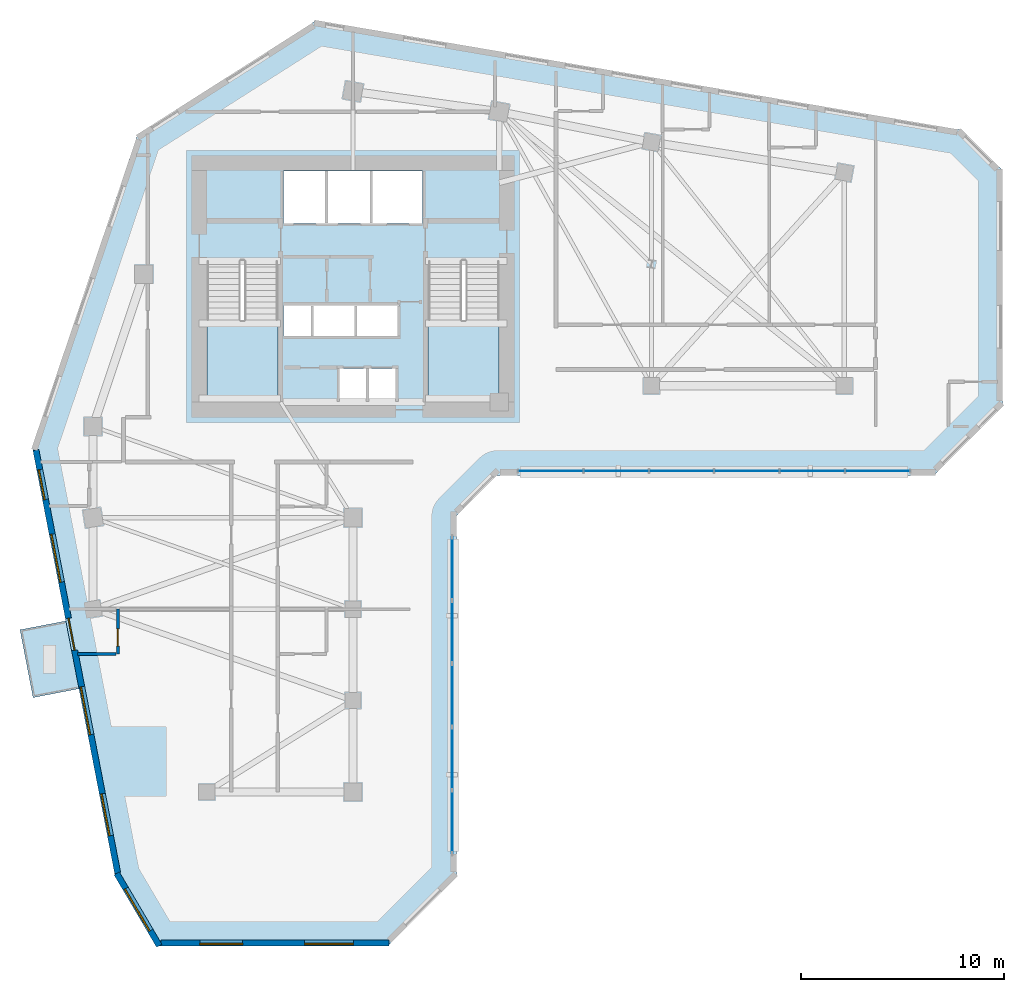
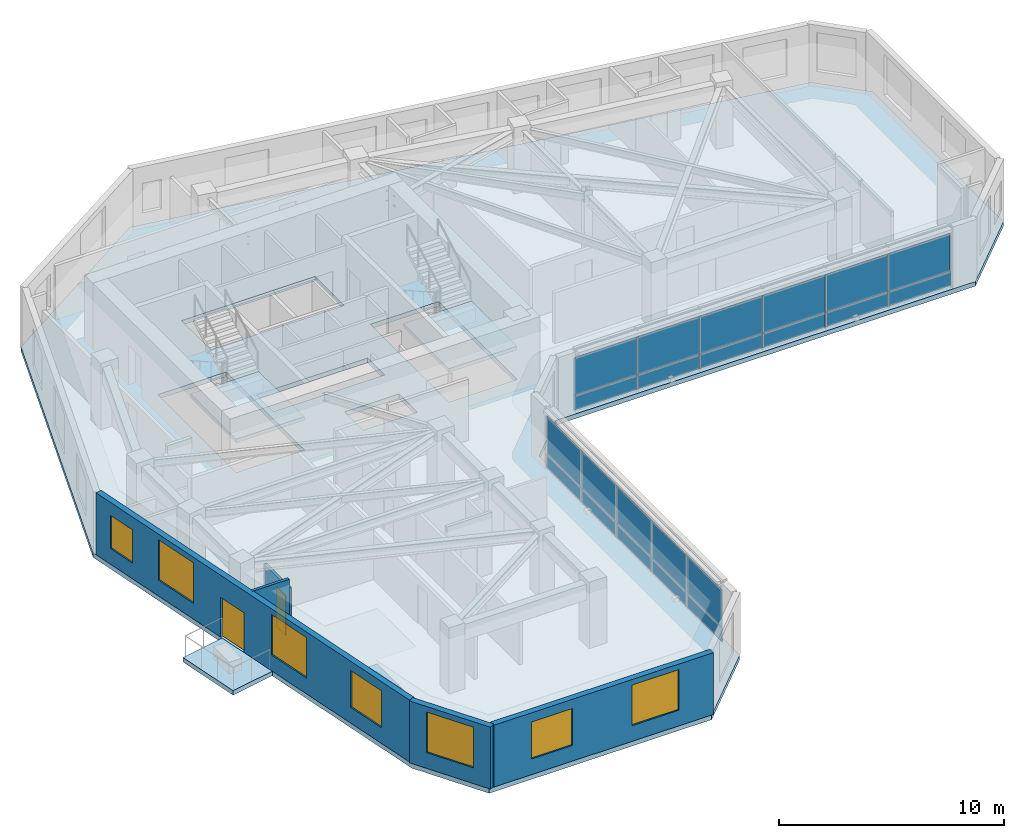
# One storey, part 4 of 11: 22 plates, 7 windows, 5 walls, 4 slabs, 2 doors, 9 openings, 4 elements without a shape of their own.
"""IFC4 building model written with IfcOpenShell, lengths in metres."""

from ifc_helpers import new_model, si_unit, direction, frame, frame_2d, origin, place, context, subcontext, project, spatial, polyline, rectangle, outline, extrude, source, transform, mapped, material, layer, layer_set, type_object, element, fill, aggregate, save


model = new_model("IFC4")

# Units and contexts
model_context = context("Model", 3, precision=1e-05, world=origin(), true_north=direction((0.0, 1.0)))
body_context = subcontext(model_context, "Body", "Model", "MODEL_VIEW")
ifc_project = project(units=[si_unit("LENGTHUNIT", "METRE"), si_unit("AREAUNIT", "SQUARE_METRE"), si_unit("VOLUMEUNIT", "CUBIC_METRE"), si_unit("PLANEANGLEUNIT", "RADIAN"), si_unit("MASSUNIT", "GRAM", prefix="KILO")], contexts=[model_context])

# Site, building, storey
site_placement = place(None, origin())
site = spatial("IfcSite", under=ifc_project, at=site_placement, CompositionType="ELEMENT")
building_placement = place(site_placement, origin())
building = spatial("IfcBuilding", under=site, at=building_placement, Name="Calvemar Wedge Station Tower", CompositionType="ELEMENT")
storey_placement = place(building_placement, frame((0.0, 0.0, 114.199951171875)))
storey = spatial("IfcBuildingStorey", under=building, at=storey_placement, Name="L27", CompositionType="ELEMENT", Elevation=114.199951171875)

# Curtain wall, plates
ifc_material_1 = material(Name="Anodised aluminium 6063-T6", Category="aluminium")
curtain_wall_type = type_object("IfcCurtainWallType", Name="CW2", PredefinedType="NOTDEFINED", material=ifc_material_1)
curtain_wall_1_placement = place(storey_placement, origin())
curtain_wall_1 = element("IfcCurtainWall", 1, at=curtain_wall_1_placement, inside=storey, type_object=curtain_wall_type, Name="Storey L27 CW2 Recessed Unitised Curtain Wall 4", PredefinedType="NOTDEFINED")
ifc_material_2 = material(Name="Low-E laminated insulated glass", Category="glass")
ifc_layer_1 = layer(ifc_material_2, 0.028076171875)
ifc_layer_set_1 = layer_set([ifc_layer_1], Name="Low-E laminated insulated glass")
plate_type_1 = type_object("IfcPlateType", Name="CW2-GLZ", PredefinedType="CURTAIN_PANEL", material=ifc_layer_set_1)
plate_1_placement = place(storey_placement, frame((28.68603515625, 11.97998046875, 0.8701171875), z_axis=(0.0, 0.0, 1.0), x_axis=(0.0, 1.0, 0.0)))
plate_1 = element("IfcPlate", 2, at=plate_1_placement, type_object=plate_type_1, Name="CW2 vision glass panel 1", PredefinedType="CURTAIN_PANEL", context=body_context, shape_type="SweptSolid", body=[
    extrude(rectangle(XDim=3.08251953125, YDim=0.028076171875, at=frame_2d((1.541259765625, 0.0))), origin(), (0.0, 0.0, 1.0), 2.010009765625),
])
plate_2_placement = place(storey_placement, frame((28.68603515625, 15.098388671875, 0.8701171875), z_axis=(0.0, 0.0, 1.0), x_axis=(0.0, 1.0, 0.0)))
plate_2 = element("IfcPlate", 3, at=plate_2_placement, type_object=plate_type_1, Name="CW2 vision glass panel 2", PredefinedType="CURTAIN_PANEL", context=body_context, shape_type="SweptSolid", body=[
    extrude(rectangle(XDim=3.08251953125, YDim=0.028076171875, at=frame_2d((1.541259765625, 0.0))), origin(), (0.0, 0.0, 1.0), 2.010009765625),
])
plate_3_placement = place(storey_placement, frame((28.68603515625, 18.216796875, 0.8701171875), z_axis=(0.0, 0.0, 1.0), x_axis=(0.0, 1.0, 0.0)))
plate_3 = element("IfcPlate", 4, at=plate_3_placement, type_object=plate_type_1, Name="CW2 vision glass panel 3", PredefinedType="CURTAIN_PANEL", context=body_context, shape_type="SweptSolid", body=[
    extrude(rectangle(XDim=3.08251953125, YDim=0.028076171875, at=frame_2d((1.541259765625, 0.0))), origin(), (0.0, 0.0, 1.0), 2.010009765625),
])
plate_4_placement = place(storey_placement, frame((28.68603515625, 21.335205078125, 0.8701171875), z_axis=(0.0, 0.0, 1.0), x_axis=(0.0, 1.0, 0.0)))
plate_4 = element("IfcPlate", 5, at=plate_4_placement, type_object=plate_type_1, Name="CW2 vision glass panel 4", PredefinedType="CURTAIN_PANEL", context=body_context, shape_type="SweptSolid", body=[
    extrude(rectangle(XDim=3.08251953125, YDim=0.028076171875, at=frame_2d((1.541259765625, 0.0))), origin(), (0.0, 0.0, 1.0), 2.010009765625),
])
plate_5_placement = place(storey_placement, frame((28.68603515625, 24.45361328125, 0.8701171875), z_axis=(0.0, 0.0, 1.0), x_axis=(0.0, 1.0, 0.0)))
plate_5 = element("IfcPlate", 6, at=plate_5_placement, type_object=plate_type_1, Name="CW2 vision glass panel 5", PredefinedType="CURTAIN_PANEL", context=body_context, shape_type="SweptSolid", body=[
    extrude(rectangle(XDim=3.08251953125, YDim=0.028076171875, at=frame_2d((1.541259765625, 0.0))), origin(), (0.0, 0.0, 1.0), 2.010009765625),
])

curtain_wall_2_placement = place(storey_placement, origin())
curtain_wall_2 = element("IfcCurtainWall", 7, at=curtain_wall_2_placement, inside=storey, type_object=curtain_wall_type, Name="Storey L27 CW2 Recessed Unitised Curtain Wall 6", PredefinedType="NOTDEFINED")
plate_6_placement = place(storey_placement, frame((31.951904296875, 30.802001953125, 0.8701171875), z_axis=(0.0, 0.0, 1.0), x_axis=(1.0, 0.0, 0.0)))
plate_6 = element("IfcPlate", 8, at=plate_6_placement, type_object=plate_type_1, Name="CW2 vision glass panel 1", PredefinedType="CURTAIN_PANEL", context=body_context, shape_type="SweptSolid", body=[
    extrude(rectangle(XDim=3.181396484375, YDim=0.028076171875, at=frame_2d((1.5908203125, 0.0))), origin(), (0.0, 0.0, 1.0), 2.010009765625),
])
plate_7_placement = place(storey_placement, frame((35.169189453125, 30.802001953125, 0.8701171875), z_axis=(0.0, 0.0, 1.0), x_axis=(1.0, 0.0, 0.0)))
plate_7 = element("IfcPlate", 9, at=plate_7_placement, type_object=plate_type_1, Name="CW2 vision glass panel 2", PredefinedType="CURTAIN_PANEL", context=body_context, shape_type="SweptSolid", body=[
    extrude(rectangle(XDim=3.181396484375, YDim=0.028076171875, at=frame_2d((1.5908203125, 0.0))), origin(), (0.0, 0.0, 1.0), 2.010009765625),
])
plate_8_placement = place(storey_placement, frame((38.38671875, 30.802001953125, 0.8701171875), z_axis=(0.0, 0.0, 1.0), x_axis=(1.0, 0.0, 0.0)))
plate_8 = element("IfcPlate", 10, at=plate_8_placement, type_object=plate_type_1, Name="CW2 vision glass panel 3", PredefinedType="CURTAIN_PANEL", context=body_context, shape_type="SweptSolid", body=[
    extrude(rectangle(XDim=3.18115234375, YDim=0.028076171875, at=frame_2d((1.590576171875, 0.0))), origin(), (0.0, 0.0, 1.0), 2.010009765625),
])
plate_9_placement = place(storey_placement, frame((41.60400390625, 30.802001953125, 0.8701171875), z_axis=(0.0, 0.0, 1.0), x_axis=(1.0, 0.0, 0.0)))
plate_9 = element("IfcPlate", 11, at=plate_9_placement, type_object=plate_type_1, Name="CW2 vision glass panel 4", PredefinedType="CURTAIN_PANEL", context=body_context, shape_type="SweptSolid", body=[
    extrude(rectangle(XDim=3.18115234375, YDim=0.028076171875, at=frame_2d((1.590576171875, 0.0))), origin(), (0.0, 0.0, 1.0), 2.010009765625),
])
plate_10_placement = place(storey_placement, frame((44.8212890625, 30.802001953125, 0.8701171875), z_axis=(0.0, 0.0, 1.0), x_axis=(1.0, 0.0, 0.0)))
plate_10 = element("IfcPlate", 12, at=plate_10_placement, type_object=plate_type_1, Name="CW2 vision glass panel 5", PredefinedType="CURTAIN_PANEL", context=body_context, shape_type="SweptSolid", body=[
    extrude(rectangle(XDim=3.181396484375, YDim=0.028076171875, at=frame_2d((1.5908203125, 0.0))), origin(), (0.0, 0.0, 1.0), 2.010009765625),
])
plate_11_placement = place(storey_placement, frame((48.03857421875, 30.802001953125, 0.8701171875), z_axis=(0.0, 0.0, 1.0), x_axis=(1.0, 0.0, 0.0)))
plate_11 = element("IfcPlate", 13, at=plate_11_placement, type_object=plate_type_1, Name="CW2 vision glass panel 6", PredefinedType="CURTAIN_PANEL", context=body_context, shape_type="SweptSolid", body=[
    extrude(rectangle(XDim=3.181396484375, YDim=0.028076171875, at=frame_2d((1.5908203125, 0.0))), origin(), (0.0, 0.0, 1.0), 2.010009765625),
])

# Plate
ifc_material_3 = material(Name="Oxidized bronze aluminium spandrel panel 5005-H24", Category="aluminium")
ifc_layer_2 = layer(ifc_material_3, 0.0400390625)
ifc_layer_set_2 = layer_set([ifc_layer_2], Name="Oxidized bronze aluminium spandrel panel 5005-H24")
plate_type_2 = type_object("IfcPlateType", Name="CW2-SPD", PredefinedType="SHEET", material=ifc_layer_set_2)
plate_12_placement = place(storey_placement, frame((28.68603515625, 11.97998046875, 0.080078125), z_axis=(0.0, 0.0, 1.0), x_axis=(0.0, 1.0, 0.0)))
plate_12 = element("IfcPlate", 14, at=plate_12_placement, type_object=plate_type_2, Name="CW2 bronze spandrel panel 1", PredefinedType="SHEET", context=body_context, shape_type="SweptSolid", body=[
    extrude(rectangle(XDim=3.08251953125, YDim=0.0400390625, at=frame_2d((1.541259765625, 0.0))), origin(), (0.0, 0.0, 1.0), 0.75),
])

plate_13_placement = place(storey_placement, frame((28.68603515625, 15.098388671875, 0.080078125), z_axis=(0.0, 0.0, 1.0), x_axis=(0.0, 1.0, 0.0)))
plate_13 = element("IfcPlate", 15, at=plate_13_placement, type_object=plate_type_2, Name="CW2 bronze spandrel panel 2", PredefinedType="SHEET", context=body_context, shape_type="SweptSolid", body=[
    extrude(rectangle(XDim=3.08251953125, YDim=0.0400390625, at=frame_2d((1.541259765625, 0.0))), origin(), (0.0, 0.0, 1.0), 0.75),
])

plate_14_placement = place(storey_placement, frame((28.68603515625, 18.216796875, 0.080078125), z_axis=(0.0, 0.0, 1.0), x_axis=(0.0, 1.0, 0.0)))
plate_14 = element("IfcPlate", 16, at=plate_14_placement, type_object=plate_type_2, Name="CW2 bronze spandrel panel 3", PredefinedType="SHEET", context=body_context, shape_type="SweptSolid", body=[
    extrude(rectangle(XDim=3.08251953125, YDim=0.0400390625, at=frame_2d((1.541259765625, 0.0))), origin(), (0.0, 0.0, 1.0), 0.75),
])

plate_15_placement = place(storey_placement, frame((28.68603515625, 21.335205078125, 0.080078125), z_axis=(0.0, 0.0, 1.0), x_axis=(0.0, 1.0, 0.0)))
plate_15 = element("IfcPlate", 17, at=plate_15_placement, type_object=plate_type_2, Name="CW2 bronze spandrel panel 4", PredefinedType="SHEET", context=body_context, shape_type="SweptSolid", body=[
    extrude(rectangle(XDim=3.08251953125, YDim=0.0400390625, at=frame_2d((1.541259765625, 0.0))), origin(), (0.0, 0.0, 1.0), 0.75),
])

plate_16_placement = place(storey_placement, frame((28.68603515625, 24.45361328125, 0.080078125), z_axis=(0.0, 0.0, 1.0), x_axis=(0.0, 1.0, 0.0)))
plate_16 = element("IfcPlate", 18, at=plate_16_placement, type_object=plate_type_2, Name="CW2 bronze spandrel panel 5", PredefinedType="SHEET", context=body_context, shape_type="SweptSolid", body=[
    extrude(rectangle(XDim=3.08251953125, YDim=0.0400390625, at=frame_2d((1.541259765625, 0.0))), origin(), (0.0, 0.0, 1.0), 0.75),
])

aggregate(curtain_wall_1, [plate_12, plate_1, plate_13, plate_2, plate_14, plate_3, plate_15, plate_4, plate_16, plate_5])

plate_17_placement = place(storey_placement, frame((31.951904296875, 30.802001953125, 0.080078125), z_axis=(0.0, 0.0, 1.0), x_axis=(1.0, 0.0, 0.0)))
plate_17 = element("IfcPlate", 19, at=plate_17_placement, type_object=plate_type_2, Name="CW2 bronze spandrel panel 1", PredefinedType="SHEET", context=body_context, shape_type="SweptSolid", body=[
    extrude(rectangle(XDim=3.181396484375, YDim=0.0400390625, at=frame_2d((1.5908203125, 0.0))), origin(), (0.0, 0.0, 1.0), 0.75),
])

plate_18_placement = place(storey_placement, frame((35.169189453125, 30.802001953125, 0.080078125), z_axis=(0.0, 0.0, 1.0), x_axis=(1.0, 0.0, 0.0)))
plate_18 = element("IfcPlate", 20, at=plate_18_placement, type_object=plate_type_2, Name="CW2 bronze spandrel panel 2", PredefinedType="SHEET", context=body_context, shape_type="SweptSolid", body=[
    extrude(rectangle(XDim=3.181396484375, YDim=0.0400390625, at=frame_2d((1.5908203125, 0.0))), origin(), (0.0, 0.0, 1.0), 0.75),
])

plate_19_placement = place(storey_placement, frame((38.38671875, 30.802001953125, 0.080078125), z_axis=(0.0, 0.0, 1.0), x_axis=(1.0, 0.0, 0.0)))
plate_19 = element("IfcPlate", 21, at=plate_19_placement, type_object=plate_type_2, Name="CW2 bronze spandrel panel 3", PredefinedType="SHEET", context=body_context, shape_type="SweptSolid", body=[
    extrude(rectangle(XDim=3.18115234375, YDim=0.0400390625, at=frame_2d((1.590576171875, 0.0))), origin(), (0.0, 0.0, 1.0), 0.75),
])

plate_20_placement = place(storey_placement, frame((41.60400390625, 30.802001953125, 0.080078125), z_axis=(0.0, 0.0, 1.0), x_axis=(1.0, 0.0, 0.0)))
plate_20 = element("IfcPlate", 22, at=plate_20_placement, type_object=plate_type_2, Name="CW2 bronze spandrel panel 4", PredefinedType="SHEET", context=body_context, shape_type="SweptSolid", body=[
    extrude(rectangle(XDim=3.18115234375, YDim=0.0400390625, at=frame_2d((1.590576171875, 0.0))), origin(), (0.0, 0.0, 1.0), 0.75),
])

plate_21_placement = place(storey_placement, frame((44.8212890625, 30.802001953125, 0.080078125), z_axis=(0.0, 0.0, 1.0), x_axis=(1.0, 0.0, 0.0)))
plate_21 = element("IfcPlate", 23, at=plate_21_placement, type_object=plate_type_2, Name="CW2 bronze spandrel panel 5", PredefinedType="SHEET", context=body_context, shape_type="SweptSolid", body=[
    extrude(rectangle(XDim=3.181396484375, YDim=0.0400390625, at=frame_2d((1.5908203125, 0.0))), origin(), (0.0, 0.0, 1.0), 0.75),
])

plate_22_placement = place(storey_placement, frame((48.03857421875, 30.802001953125, 0.080078125), z_axis=(0.0, 0.0, 1.0), x_axis=(1.0, 0.0, 0.0)))
plate_22 = element("IfcPlate", 24, at=plate_22_placement, type_object=plate_type_2, Name="CW2 bronze spandrel panel 6", PredefinedType="SHEET", context=body_context, shape_type="SweptSolid", body=[
    extrude(rectangle(XDim=3.181396484375, YDim=0.0400390625, at=frame_2d((1.5908203125, 0.0))), origin(), (0.0, 0.0, 1.0), 0.75),
])

aggregate(curtain_wall_2, [plate_17, plate_6, plate_18, plate_7, plate_19, plate_8, plate_20, plate_9, plate_21, plate_10, plate_22, plate_11])

# Stair, slab
ifc_material_4 = material(Name="Concrete C45", Category="concrete")
stair_type = type_object("IfcStairType", Name="ST-TYPE-3600", PredefinedType="HALF_TURN_STAIR", material=ifc_material_4)
stair_1_placement = place(storey_placement, origin())
stair_1 = element("IfcStair", 25, at=stair_1_placement, inside=storey, type_object=stair_type, Name="L27 Pressurized Core Exit Stair ST-C1", PredefinedType="HALF_TURN_STAIR")
ifc_layer_3 = layer(ifc_material_4, 0.199951171875)
ifc_layer_set_3 = layer_set([ifc_layer_3], Name="Concrete C45")
slab_type_1 = type_object("IfcSlabType", Name="SL-STAIR-LND-200", PredefinedType="LANDING", material=ifc_layer_set_3)
slab_1_placement = place(storey_placement, frame((0.0, 0.0, 1.60009765625)))
slab_1 = element("IfcSlab", 26, at=slab_1_placement, type_object=slab_type_1, Name="ST-C1 landing 1", PredefinedType="LANDING", context=body_context, shape_type="SweptSolid", body=[
    extrude(outline(polyline([(16.60009765625, 38.25), (16.60009765625, 34.199951171875), (20.10009765625, 34.199951171875), (20.10009765625, 38.25), (16.60009765625, 38.25)])), origin(), (0.0, 0.0, 1.0), 0.199951171875),
])
aggregate(stair_1, [slab_1])

stair_2_placement = place(storey_placement, origin())
stair_2 = element("IfcStair", 27, at=stair_2_placement, inside=storey, type_object=stair_type, Name="L27 Pressurized Core Exit Stair ST-C2", PredefinedType="HALF_TURN_STAIR")
slab_2_placement = place(storey_placement, frame((0.0, 0.0, 1.60009765625)))
slab_2 = element("IfcSlab", 28, at=slab_2_placement, type_object=slab_type_1, Name="ST-C2 landing 1", PredefinedType="LANDING", context=body_context, shape_type="SweptSolid", body=[
    extrude(outline(polyline([(27.5, 38.25), (27.5, 34.199951171875), (31.0, 34.199951171875), (31.0, 38.25), (27.5, 38.25)])), origin(), (0.0, 0.0, 1.0), 0.199951171875),
])
aggregate(stair_2, [slab_2])

# Slabs
ifc_layer_4 = layer(ifc_material_4, 0.239990234375)
ifc_layer_set_4 = layer_set([ifc_layer_4], Name="Concrete C45")
slab_type_2 = type_object("IfcSlabType", Name="SL-TERR-240", PredefinedType="FLOOR", material=ifc_layer_set_4)
slab_3_placement = place(storey_placement, frame((0.0, 0.0, -0.239990234375)))
element("IfcSlab", 29, at=slab_3_placement, inside=storey, type_object=slab_type_2, Name="Storey L27 Planted Spiral Terrace Slab", PredefinedType="FLOOR", context=body_context, shape_type="SweptSolid", body=[
    extrude(outline(polyline([(9.657958984375, 23.4189453125), (7.39990234375, 22.98291015625), (8.044921875, 19.64501953125), (10.302978515625, 20.0810546875), (9.657958984375, 23.4189453125)])), origin(), (0.0, 0.0, 1.0), 0.239990234375),
])
ifc_material_5 = material(Name="Concrete C50", Category="concrete")
ifc_layer_5 = layer(ifc_material_5, 0.25)
ifc_layer_set_5 = layer_set([ifc_layer_5], Name="Concrete C50")
slab_type_3 = type_object("IfcSlabType", Name="SL-TYP-250", PredefinedType="FLOOR", material=ifc_layer_set_5)
slab_4_placement = place(storey_placement, frame((0.0, 0.0, -0.25)))
element("IfcSlab", 30, at=slab_4_placement, inside=storey, type_object=slab_type_3, Name="Storey L27 Structural Floor Slab", PredefinedType="FLOOR", context=body_context, shape_type="SweptSolid", body=[
    extrude(outline(polyline([(8.0, 32.0), (12.095947265625, 10.800048828125), (14.095947265625, 7.39990234375), (25.49609375, 7.39990234375), (28.89599609375, 10.800048828125), (28.89599609375, 28.592041015625), (30.89599609375, 30.592041015625), (52.39990234375, 30.592041015625), (55.800048828125, 33.991943359375), (55.800048828125, 45.592041015625), (53.800048828125, 47.592041015625), (22.0, 53.0), (13.199951171875, 47.39990234375), (8.0, 32.0)]), holes=[polyline([(24.52001953125, 35.85009765625), (24.510009765625, 35.85009765625), (23.1201171875, 35.85009765625), (23.1201171875, 34.219970703125), (24.510009765625, 34.219970703125), (24.52001953125, 34.219970703125), (25.909912109375, 34.219970703125), (25.909912109375, 35.85009765625), (24.52001953125, 35.85009765625)]), polyline([(16.60009765625, 34.199951171875), (20.10009765625, 34.199951171875), (20.10009765625, 41.14990234375), (16.60009765625, 41.14990234375), (16.60009765625, 34.199951171875)]), polyline([(27.5, 34.199951171875), (31.0, 34.199951171875), (31.0, 41.14990234375), (27.5, 41.14990234375), (27.5, 34.199951171875)]), polyline([(21.800048828125, 38.949951171875), (21.7900390625, 38.949951171875), (20.3798828125, 38.949951171875), (20.3798828125, 37.449951171875), (21.7900390625, 37.449951171875), (21.800048828125, 37.449951171875), (23.929931640625, 37.449951171875), (23.93994140625, 37.449951171875), (26.080078125, 37.449951171875), (26.080078125, 38.949951171875), (23.93994140625, 38.949951171875), (23.929931640625, 38.949951171875), (21.800048828125, 38.949951171875)]), polyline([(27.219970703125, 43.0), (27.219970703125, 45.580078125), (20.3798828125, 45.580078125), (20.3798828125, 43.0), (27.219970703125, 43.0)])]), origin(), (0.0, 0.0, 1.0), 0.25),
])

# Wall, opening, window
ifc_material_6 = material(Name="Precast concrete C45", Category="concrete")
ifc_layer_6 = layer(ifc_material_6, 0.300048828125)
ifc_layer_set_6 = layer_set([ifc_layer_6], Name="Precast concrete C45")
wall_type_1 = type_object("IfcWallType", Name="W-EXT-GFRC-300", PredefinedType="SOLIDWALL", material=ifc_layer_set_6)
wall_1_placement = place(storey_placement, frame((12.162353515625, 10.983154296875, 0.0), z_axis=(0.0, 0.0, 1.0), x_axis=(0.506996893234, -0.861947881401, 0.0)))
wall_1 = element("IfcWall", 31, at=wall_1_placement, inside=storey, type_object=wall_type_1, Name="Storey L27 Bronze GFRC Exterior Wall 1", PredefinedType="SOLIDWALL", context=body_context, shape_type="SweptSolid", body=[
    extrude(rectangle(XDim=4.133056640625, YDim=0.300048828125, at=frame_2d((2.06640625, 0.0))), origin(), (0.0, 0.0, 1.0), 3.35009765625),
])
shared_shape_1 = source(origin(), body_context, "Body", "SweptSolid", [
    extrude(rectangle(XDim=2.39990234375, YDim=2.199951171875, at=frame_2d((1.199951171875, 1.10009765625))), frame((0.0, 0.16015625, 0.0), z_axis=(0.0, -1.0, 0.0), x_axis=(1.0, 0.0, 0.0)), (0.0, 0.0, 1.0), 0.320068359375),
])
opening_1_placement = place(wall_1_placement, frame((0.866943359375, 0.0, 0.85009765625)))
opening_1 = element("IfcOpeningElement", 32, at=opening_1_placement, cuts=wall_1, Name="Opening W1", PredefinedType="OPENING", context=body_context, shape_type="MappedRepresentation", body=[
    mapped(shared_shape_1, transform((0.0, 0.0, 0.0), scale=1.0)),
])
window_type_1 = type_object("IfcWindowType", Name="WIN-EXT-1", PartitioningType="SINGLE_PANEL", PredefinedType="WINDOW", material=ifc_material_2)
shared_shape_2 = source(origin(), body_context, "Body", "SweptSolid", [
    extrude(rectangle(XDim=2.39990234375, YDim=2.199951171875, at=frame_2d((1.199951171875, 1.10009765625))), frame((0.0, -0.014892578125, 0.0), z_axis=(0.0, -1.0, 0.0), x_axis=(1.0, 0.0, 0.0)), (0.0, 0.0, 1.0), 0.06005859375),
])
window_1_placement = place(opening_1_placement, origin())
window_1 = element("IfcWindow", 33, at=window_1_placement, inside=storey, type_object=window_type_1, Name="Storey L27 Recessed Window 1.1", OverallHeight=2.199951171875, OverallWidth=2.39990234375, PartitioningType="SINGLE_PANEL", PredefinedType="WINDOW", context=body_context, shape_type="MappedRepresentation", body=[
    mapped(shared_shape_2, transform((0.0, 0.0, 0.0), scale=1.0)),
])
fill(opening_1, window_1)

# Wall, openings, windows
wall_2_placement = place(storey_placement, frame((14.341796875, 7.550048828125, 0.0), z_axis=(0.0, 0.0, 1.0), x_axis=(1.0, 0.0, 0.0)))
wall_2 = element("IfcWall", 34, at=wall_2_placement, inside=storey, type_object=wall_type_1, Name="Storey L27 Bronze GFRC Exterior Wall 2", PredefinedType="SOLIDWALL", context=body_context, shape_type="SweptSolid", body=[
    extrude(rectangle(XDim=11.2421875, YDim=0.300048828125, at=frame_2d((5.62109375, 0.0))), origin(), (0.0, 0.0, 1.0), 3.35009765625),
])
shared_shape_3 = source(origin(), body_context, "Body", "SweptSolid", [
    extrude(rectangle(XDim=2.10009765625, YDim=2.0, at=frame_2d((1.050048828125, 1.0))), frame((0.0, 0.16015625, 0.0), z_axis=(0.0, -1.0, 0.0), x_axis=(1.0, 0.0, 0.0)), (0.0, 0.0, 1.0), 0.320068359375),
])
opening_2_placement = place(wall_2_placement, frame((1.9208984375, 0.0, 0.85009765625)))
opening_2 = element("IfcOpeningElement", 35, at=opening_2_placement, cuts=wall_2, Name="Opening W4", PredefinedType="OPENING", context=body_context, shape_type="MappedRepresentation", body=[
    mapped(shared_shape_3, transform((0.0, 0.0, 0.0), scale=1.0)),
])
opening_3_placement = place(wall_2_placement, frame((7.072021484375, 0.0, 0.85009765625)))
opening_3 = element("IfcOpeningElement", 36, at=opening_3_placement, cuts=wall_2, Name="Opening W1", PredefinedType="OPENING", context=body_context, shape_type="MappedRepresentation", body=[
    mapped(shared_shape_1, transform((0.0, 0.0, 0.0), scale=1.0)),
])
window_type_2 = type_object("IfcWindowType", Name="WIN-EXT-4", PartitioningType="SINGLE_PANEL", PredefinedType="WINDOW", material=ifc_material_2)
shared_shape_4 = source(origin(), body_context, "Body", "SweptSolid", [
    extrude(rectangle(XDim=2.10009765625, YDim=2.0, at=frame_2d((1.050048828125, 1.0))), frame((0.0, -0.014892578125, 0.0), z_axis=(0.0, -1.0, 0.0), x_axis=(1.0, 0.0, 0.0)), (0.0, 0.0, 1.0), 0.06005859375),
])
window_2_placement = place(opening_2_placement, origin())
window_2 = element("IfcWindow", 37, at=window_2_placement, inside=storey, type_object=window_type_2, Name="Storey L27 Recessed Window 2.1", OverallHeight=2.0, OverallWidth=2.10009765625, PartitioningType="SINGLE_PANEL", PredefinedType="WINDOW", context=body_context, shape_type="MappedRepresentation", body=[
    mapped(shared_shape_4, transform((0.0, 0.0, 0.0), scale=1.0)),
])
fill(opening_2, window_2)
window_3_placement = place(opening_3_placement, origin())
window_3 = element("IfcWindow", 38, at=window_3_placement, inside=storey, type_object=window_type_1, Name="Storey L27 Recessed Window 2.2", OverallHeight=2.199951171875, OverallWidth=2.39990234375, PartitioningType="SINGLE_PANEL", PredefinedType="WINDOW", context=body_context, shape_type="MappedRepresentation", body=[
    mapped(shared_shape_2, transform((0.0, 0.0, 0.0), scale=1.0)),
])
fill(opening_3, window_3)

# Wall, openings, windows, door
wall_3_placement = place(storey_placement, frame((8.184814453125, 31.833740234375, 0.0), z_axis=(0.0, 0.0, 1.0), x_axis=(0.189707113148, -0.981840725994, 0.0)))
wall_3 = element("IfcWall", 39, at=wall_3_placement, inside=storey, type_object=wall_type_1, Name="Storey L27 Bronze GFRC Exterior Wall 13", PredefinedType="SOLIDWALL", context=body_context, shape_type="SweptSolid", body=[
    extrude(rectangle(XDim=21.221435546875, YDim=0.300048828125, at=frame_2d((10.61083984375, 0.0))), origin(), (0.0, 0.0, 1.0), 3.35009765625),
])
shared_shape_5 = source(origin(), body_context, "Body", "SweptSolid", [
    extrude(rectangle(XDim=1.60009765625, YDim=2.14990234375, at=frame_2d((0.800048828125, 1.074951171875))), frame((0.0, 0.16015625, 0.0), z_axis=(0.0, -1.0, 0.0), x_axis=(1.0, 0.0, 0.0)), (0.0, 0.0, 1.0), 0.320068359375),
])
opening_4_placement = place(wall_3_placement, frame((8.44091796875, 0.0, 0.0)))
opening_4 = element("IfcOpeningElement", 40, at=opening_4_placement, cuts=wall_3, Name="Opening DT1", PredefinedType="OPENING", context=body_context, shape_type="MappedRepresentation", body=[
    mapped(shared_shape_5, transform((0.0, 0.0, 0.0), scale=1.0)),
])
shared_shape_6 = source(origin(), body_context, "Body", "SweptSolid", [
    extrude(rectangle(XDim=1.5, YDim=1.800048828125, at=frame_2d((0.75, 0.89990234375))), frame((0.0, 0.16015625, 0.0), z_axis=(0.0, -1.0, 0.0), x_axis=(1.0, 0.0, 0.0)), (0.0, 0.0, 1.0), 0.320068359375),
])
opening_5_placement = place(wall_3_placement, frame((0.97705078125, 0.0, 0.85009765625)))
opening_5 = element("IfcOpeningElement", 41, at=opening_5_placement, cuts=wall_3, Name="Opening W3", PredefinedType="OPENING", context=body_context, shape_type="MappedRepresentation", body=[
    mapped(shared_shape_6, transform((0.0, 0.0, 0.0), scale=1.0)),
])
opening_6_placement = place(wall_3_placement, frame((4.218994140625, 0.0, 0.85009765625)))
opening_6 = element("IfcOpeningElement", 42, at=opening_6_placement, cuts=wall_3, Name="Opening W1", PredefinedType="OPENING", context=body_context, shape_type="MappedRepresentation", body=[
    mapped(shared_shape_1, transform((0.0, 0.0, 0.0), scale=1.0)),
])
opening_7_placement = place(wall_3_placement, frame((11.87109375, 0.0, 0.85009765625)))
opening_7 = element("IfcOpeningElement", 43, at=opening_7_placement, cuts=wall_3, Name="Opening W1", PredefinedType="OPENING", context=body_context, shape_type="MappedRepresentation", body=[
    mapped(shared_shape_1, transform((0.0, 0.0, 0.0), scale=1.0)),
])
opening_8_placement = place(wall_3_placement, frame((17.240966796875, 0.0, 0.85009765625)))
opening_8 = element("IfcOpeningElement", 44, at=opening_8_placement, cuts=wall_3, Name="Opening W4", PredefinedType="OPENING", context=body_context, shape_type="MappedRepresentation", body=[
    mapped(shared_shape_3, transform((0.0, 0.0, 0.0), scale=1.0)),
])
window_4_placement = place(opening_8_placement, origin())
window_4 = element("IfcWindow", 45, at=window_4_placement, inside=storey, type_object=window_type_2, Name="Storey L27 Recessed Window 13.4", OverallHeight=2.0, OverallWidth=2.10009765625, PartitioningType="SINGLE_PANEL", PredefinedType="WINDOW", context=body_context, shape_type="MappedRepresentation", body=[
    mapped(shared_shape_4, transform((0.0, 0.0, 0.0), scale=1.0)),
])
fill(opening_8, window_4)
window_5_placement = place(opening_6_placement, origin())
window_5 = element("IfcWindow", 46, at=window_5_placement, inside=storey, type_object=window_type_1, Name="Storey L27 Recessed Window 13.2", OverallHeight=2.199951171875, OverallWidth=2.39990234375, PartitioningType="SINGLE_PANEL", PredefinedType="WINDOW", context=body_context, shape_type="MappedRepresentation", body=[
    mapped(shared_shape_2, transform((0.0, 0.0, 0.0), scale=1.0)),
])
fill(opening_6, window_5)
window_6_placement = place(opening_7_placement, origin())
window_6 = element("IfcWindow", 47, at=window_6_placement, inside=storey, type_object=window_type_1, Name="Storey L27 Recessed Window 13.3", OverallHeight=2.199951171875, OverallWidth=2.39990234375, PartitioningType="SINGLE_PANEL", PredefinedType="WINDOW", context=body_context, shape_type="MappedRepresentation", body=[
    mapped(shared_shape_2, transform((0.0, 0.0, 0.0), scale=1.0)),
])
fill(opening_7, window_6)
door_type_1 = type_object("IfcDoorType", Name="DR-TERR-1600", OperationType="DOUBLE_DOOR_SLIDING", PredefinedType="DOOR", material=ifc_material_1)
shared_shape_7 = source(origin(), body_context, "Body", "SweptSolid", [
    extrude(rectangle(XDim=1.60009765625, YDim=2.14990234375, at=frame_2d((0.800048828125, 1.074951171875))), frame((0.0, 0.02490234375, 0.0), z_axis=(0.0, -1.0, 0.0), x_axis=(1.0, 0.0, 0.0)), (0.0, 0.0, 1.0), 0.050048828125),
])
door_1_placement = place(opening_4_placement, origin())
door_1 = element("IfcDoor", 48, at=door_1_placement, inside=storey, type_object=door_type_1, Name="Storey L27 Spiral Terrace Door", OperationType="DOUBLE_DOOR_SLIDING", OverallHeight=2.14990234375, OverallWidth=1.60009765625, PredefinedType="DOOR", context=body_context, shape_type="MappedRepresentation", body=[
    mapped(shared_shape_7, transform((0.0, 0.0, 0.0), scale=1.0)),
])
fill(opening_4, door_1)
window_type_3 = type_object("IfcWindowType", Name="WIN-EXT-3", PartitioningType="SINGLE_PANEL", PredefinedType="WINDOW", material=ifc_material_2)
shared_shape_8 = source(origin(), body_context, "Body", "SweptSolid", [
    extrude(rectangle(XDim=1.5, YDim=1.800048828125, at=frame_2d((0.75, 0.89990234375))), frame((0.0, -0.014892578125, 0.0), z_axis=(0.0, -1.0, 0.0), x_axis=(1.0, 0.0, 0.0)), (0.0, 0.0, 1.0), 0.06005859375),
])
window_7_placement = place(opening_5_placement, origin())
window_7 = element("IfcWindow", 49, at=window_7_placement, inside=storey, type_object=window_type_3, Name="Storey L27 Recessed Window 13.1", OverallHeight=1.800048828125, OverallWidth=1.5, PartitioningType="SINGLE_PANEL", PredefinedType="WINDOW", context=body_context, shape_type="MappedRepresentation", body=[
    mapped(shared_shape_8, transform((0.0, 0.0, 0.0), scale=1.0)),
])
fill(opening_5, window_7)

# Wall, opening, door
ifc_material_7 = material(Name="Moisture-resistant acoustic bathroom partition")
ifc_layer_7 = layer(ifc_material_7, 0.14990234375)
ifc_layer_set_7 = layer_set([ifc_layer_7], Name="Moisture-resistant acoustic bathroom partition")
wall_type_2 = type_object("IfcWallType", Name="W-WET-150", PredefinedType="PARTITIONING", material=ifc_layer_set_7)
wall_4_placement = place(storey_placement, frame((12.215576171875, 24.0, 0.0), z_axis=(0.0, 0.0, 1.0), x_axis=(0.0, -1.0, 0.0)))
wall_4 = element("IfcWall", 50, at=wall_4_placement, inside=storey, type_object=wall_type_2, Name="Storey L27 Interior Partition WL-L27-046", PredefinedType="PARTITIONING", context=body_context, shape_type="SweptSolid", body=[
    extrude(rectangle(XDim=2.199951171875, YDim=0.14990234375, at=frame_2d((1.10009765625, 0.0))), origin(), (0.0, 0.0, 1.0), 2.7880859375),
])
shared_shape_9 = source(origin(), body_context, "Body", "SweptSolid", [
    extrude(rectangle(XDim=0.85009765625, YDim=2.14990234375, at=frame_2d((0.425048828125, 1.074951171875))), frame((0.0, 0.0849609375, 0.0), z_axis=(0.0, -1.0, 0.0), x_axis=(1.0, 0.0, 0.0)), (0.0, 0.0, 1.0), 0.169921875),
])
opening_9_placement = place(wall_4_placement, frame((0.97119140625, 0.0, 0.0)))
opening_9 = element("IfcOpeningElement", 51, at=opening_9_placement, cuts=wall_4, Name="Opening D-02", PredefinedType="OPENING", context=body_context, shape_type="MappedRepresentation", body=[
    mapped(shared_shape_9, transform((0.0, 0.0, 0.0), scale=1.0)),
])
ifc_material_8 = material(Name="Moisture-sealed bathroom hardwood swing door", Category="wood")
door_type_2 = type_object("IfcDoorType", Name="DR-WET-850", OperationType="NOTDEFINED", PredefinedType="DOOR", material=ifc_material_8)
shared_shape_10 = source(origin(), body_context, "Body", "SweptSolid", [
    extrude(rectangle(XDim=0.85009765625, YDim=2.14990234375, at=frame_2d((0.425048828125, 1.074951171875))), frame((0.0, 0.02490234375, 0.0), z_axis=(0.0, -1.0, 0.0), x_axis=(1.0, 0.0, 0.0)), (0.0, 0.0, 1.0), 0.050048828125),
])
door_2_placement = place(opening_9_placement, origin())
door_2 = element("IfcDoor", 52, at=door_2_placement, inside=storey, type_object=door_type_2, Name="L27 En-Suite Bathroom Door", OperationType="SINGLE_SWING_RIGHT", OverallHeight=2.14990234375, OverallWidth=0.85009765625, PredefinedType="DOOR", context=body_context, shape_type="MappedRepresentation", body=[
    mapped(shared_shape_10, transform((0.0, 0.0, 0.0), scale=1.0)),
])
fill(opening_9, door_2)

# Wall
wall_5_placement = place(storey_placement, frame((12.13671875, 21.800048828125, 0.0), z_axis=(0.0, 0.0, 1.0), x_axis=(-1.0, 0.0, 0.0)))
element("IfcWall", 53, at=wall_5_placement, inside=storey, type_object=wall_type_2, Name="Storey L27 Interior Partition WL-L27-047", PredefinedType="PARTITIONING", context=body_context, shape_type="SweptSolid", body=[
    extrude(rectangle(XDim=1.896240234375, YDim=0.14990234375, at=frame_2d((0.9482421875, 0.0))), origin(), (0.0, 0.0, 1.0), 3.35009765625),
])

save(model, "model.ifc")
